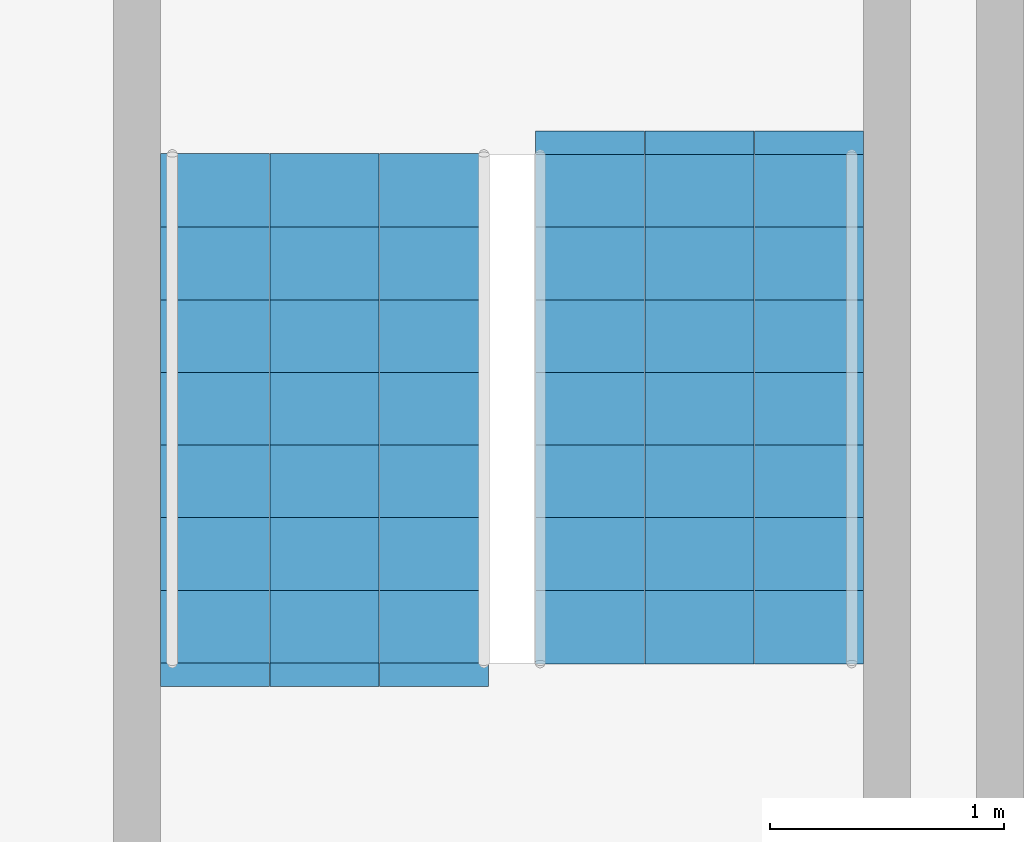
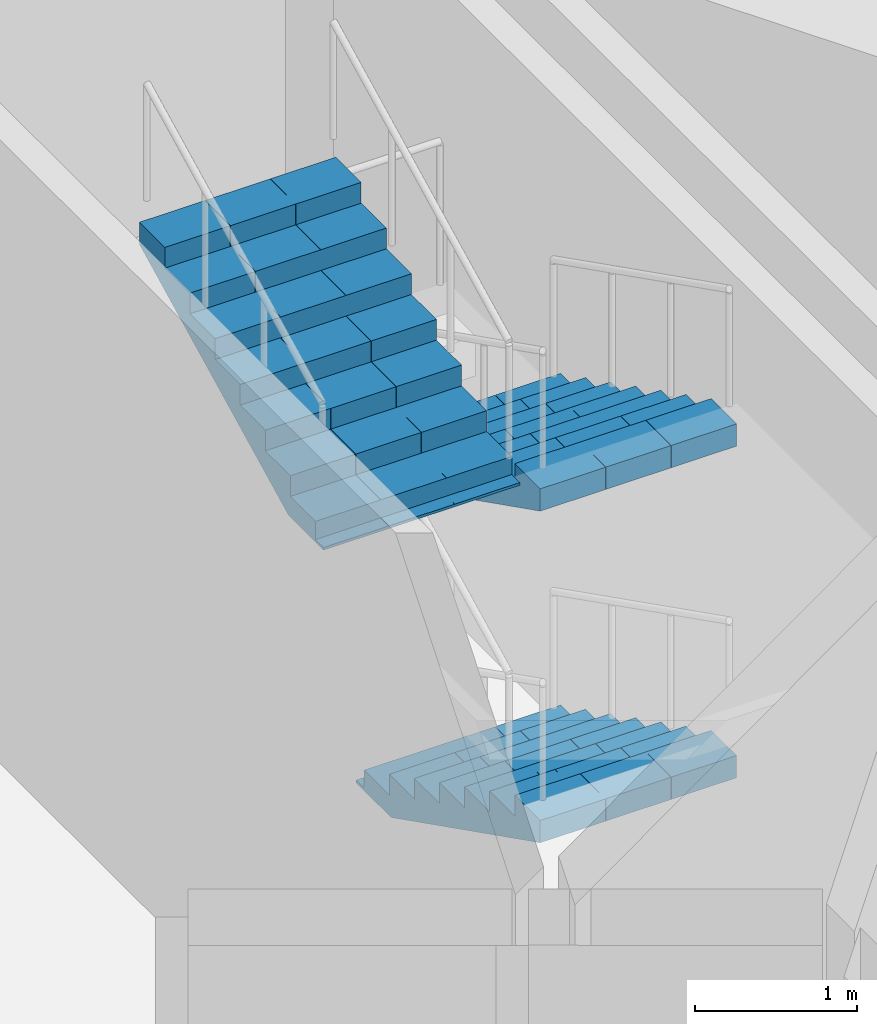
# One storey, part 26 of 28: 3 stair flights, 1 element without a shape of its own.
"""IFC4 building model written with IfcOpenShell, lengths in metres."""

from ifc_helpers import new_model, si_unit, direction, frame, origin, place, context, subcontext, project, spatial, polyline, outline, extrude, material, type_object, element, aggregate, save


model = new_model("IFC4")

# Units and contexts
model_context = context("Model", 3, precision=1e-05, world=origin(), true_north=direction((0.0, 1.0)))
body_context = subcontext(model_context, "Body", "Model", "MODEL_VIEW")
ifc_project = project(units=[si_unit("LENGTHUNIT", "METRE"), si_unit("AREAUNIT", "SQUARE_METRE"), si_unit("VOLUMEUNIT", "CUBIC_METRE"), si_unit("PLANEANGLEUNIT", "RADIAN"), si_unit("MASSUNIT", "GRAM", prefix="KILO")], contexts=[model_context])

# Site, building, storey
site_placement = place(None, origin())
site = spatial("IfcSite", under=ifc_project, at=site_placement, CompositionType="ELEMENT")
building_placement = place(site_placement, origin())
building = spatial("IfcBuilding", under=site, at=building_placement, Name="Triada Interchange Tower", CompositionType="ELEMENT")
storey_placement = place(building_placement, frame((0.0, 0.0, 30.300048828125)))
storey = spatial("IfcBuildingStorey", under=building, at=storey_placement, Name="L05", CompositionType="ELEMENT", Elevation=30.300048828125)

# Stair, stair flights
ifc_material = material(Name="Concrete C35/45", Category="concrete")
stair_type = type_object("IfcStairType", Name="HALF TURN STAIR 1400", PredefinedType="HALF_TURN_STAIR", material=ifc_material)
stair_placement = place(storey_placement, origin())
stair = element("IfcStair", 1, at=stair_placement, inside=storey, type_object=stair_type, Name="Exit stair S05-1", PredefinedType="HALF_TURN_STAIR")
stair_flight_type = type_object("IfcStairFlightType", Name="STRAIGHT STAIR FLIGHT 1400", PredefinedType="STRAIGHT", material=ifc_material)
stair_flight_1_placement = place(storey_placement, frame((0.800048828125, 11.60009765625, 0.0), z_axis=(0.0, 0.0, 1.0), x_axis=(0.0, -1.0, 0.0)))
stair_flight_1 = element("IfcStairFlight", 2, at=stair_flight_1_placement, type_object=stair_flight_type, Name="S05-1 flight 1", NumberOfRisers=8, NumberOfTreads=7, PredefinedType="STRAIGHT", RiserHeight=0.15625, TreadLength=0.31, context=body_context, shape_type="SweptSolid", body=[
    extrude(outline(polyline([(-0.10009765625, 0.0), (-0.10009765625, 0.02001953125), (0.0, 0.02001953125), (0.0, 0.15625), (0.31005859375, 0.15625), (0.31005859375, 0.3125), (0.6201171875, 0.3125), (0.6201171875, 0.46875), (0.929931640625, 0.46875), (0.929931640625, 0.625), (1.239990234375, 0.625), (1.239990234375, 0.78125), (1.550048828125, 0.78125), (1.550048828125, 0.9375), (1.860107421875, 0.9375), (1.860107421875, 1.09375), (2.169921875, 1.09375), (2.174072265625, 1.09375), (2.174072265625, 1.25), (2.174072265625, 0.92578125), (0.3330078125, 0.0), (-0.10009765625, 0.0)])), frame((0.0, 0.699951171875, 0.0), z_axis=(0.0, -1.0, 0.0), x_axis=(1.0, 0.0, 0.0)), (0.0, 0.0, 1.0), 0.46533203125),
    extrude(outline(polyline([(-0.10009765625, 0.0), (-0.10009765625, 0.02001953125), (0.0, 0.02001953125), (0.0, 0.15625), (0.31005859375, 0.15625), (0.31005859375, 0.3125), (0.6201171875, 0.3125), (0.6201171875, 0.46875), (0.929931640625, 0.46875), (0.929931640625, 0.625), (1.239990234375, 0.625), (1.239990234375, 0.78125), (1.550048828125, 0.78125), (1.550048828125, 0.9375), (1.860107421875, 0.9375), (1.860107421875, 1.09375), (2.169921875, 1.09375), (2.174072265625, 1.09375), (2.174072265625, 1.25), (2.174072265625, 0.92578125), (0.3330078125, 0.0), (-0.10009765625, 0.0)])), frame((0.0, 0.232666015625, 0.0), z_axis=(0.0, -1.0, 0.0), x_axis=(1.0, 0.0, 0.0)), (0.0, 0.0, 1.0), 0.46533203125),
    extrude(outline(polyline([(-0.10009765625, 0.0), (-0.10009765625, 0.02001953125), (0.0, 0.02001953125), (0.0, 0.15625), (0.31005859375, 0.15625), (0.31005859375, 0.3125), (0.6201171875, 0.3125), (0.6201171875, 0.46875), (0.929931640625, 0.46875), (0.929931640625, 0.625), (1.239990234375, 0.625), (1.239990234375, 0.78125), (1.550048828125, 0.78125), (1.550048828125, 0.9375), (1.860107421875, 0.9375), (1.860107421875, 1.09375), (2.169921875, 1.09375), (2.174072265625, 1.09375), (2.174072265625, 1.25), (2.174072265625, 0.92578125), (0.3330078125, 0.0), (-0.10009765625, 0.0)])), frame((0.0, -0.234619140625, 0.0), z_axis=(0.0, -1.0, 0.0), x_axis=(1.0, 0.0, 0.0)), (0.0, 0.0, 1.0), 0.46533203125),
])
stair_flight_2_placement = place(storey_placement, frame((0.800048828125, 11.60009765625, 2.5), z_axis=(0.0, 0.0, 1.0), x_axis=(0.0, -1.0, 0.0)))
stair_flight_2 = element("IfcStairFlight", 3, at=stair_flight_2_placement, type_object=stair_flight_type, Name="S05-1 flight 3", NumberOfRisers=8, NumberOfTreads=7, PredefinedType="STRAIGHT", RiserHeight=0.15625, TreadLength=0.31, context=body_context, shape_type="SweptSolid", body=[
    extrude(outline(polyline([(-0.10009765625, 0.0), (-0.10009765625, 0.02001953125), (0.0, 0.02001953125), (0.0, 0.15625), (0.31005859375, 0.15625), (0.31005859375, 0.3125), (0.6201171875, 0.3125), (0.6201171875, 0.46875), (0.929931640625, 0.46875), (0.929931640625, 0.625), (1.239990234375, 0.625), (1.239990234375, 0.78125), (1.550048828125, 0.78125), (1.550048828125, 0.9375), (1.860107421875, 0.9375), (1.860107421875, 1.09375), (2.169921875, 1.09375), (2.174072265625, 1.09375), (2.174072265625, 1.25), (2.174072265625, 0.92578125), (0.3330078125, 0.0), (-0.10009765625, 0.0)])), frame((0.0, 0.699951171875, 0.0), z_axis=(0.0, -1.0, 0.0), x_axis=(1.0, 0.0, 0.0)), (0.0, 0.0, 1.0), 0.46533203125),
    extrude(outline(polyline([(-0.10009765625, 0.0), (-0.10009765625, 0.02001953125), (0.0, 0.02001953125), (0.0, 0.15625), (0.31005859375, 0.15625), (0.31005859375, 0.3125), (0.6201171875, 0.3125), (0.6201171875, 0.46875), (0.929931640625, 0.46875), (0.929931640625, 0.625), (1.239990234375, 0.625), (1.239990234375, 0.78125), (1.550048828125, 0.78125), (1.550048828125, 0.9375), (1.860107421875, 0.9375), (1.860107421875, 1.09375), (2.169921875, 1.09375), (2.174072265625, 1.09375), (2.174072265625, 1.25), (2.174072265625, 0.92578125), (0.3330078125, 0.0), (-0.10009765625, 0.0)])), frame((0.0, 0.232666015625, 0.0), z_axis=(0.0, -1.0, 0.0), x_axis=(1.0, 0.0, 0.0)), (0.0, 0.0, 1.0), 0.46533203125),
    extrude(outline(polyline([(-0.10009765625, 0.0), (-0.10009765625, 0.02001953125), (0.0, 0.02001953125), (0.0, 0.15625), (0.31005859375, 0.15625), (0.31005859375, 0.3125), (0.6201171875, 0.3125), (0.6201171875, 0.46875), (0.929931640625, 0.46875), (0.929931640625, 0.625), (1.239990234375, 0.625), (1.239990234375, 0.78125), (1.550048828125, 0.78125), (1.550048828125, 0.9375), (1.860107421875, 0.9375), (1.860107421875, 1.09375), (2.169921875, 1.09375), (2.174072265625, 1.09375), (2.174072265625, 1.25), (2.174072265625, 0.92578125), (0.3330078125, 0.0), (-0.10009765625, 0.0)])), frame((0.0, -0.234619140625, 0.0), z_axis=(0.0, -1.0, 0.0), x_axis=(1.0, 0.0, 0.0)), (0.0, 0.0, 1.0), 0.46533203125),
])
stair_flight_3_placement = place(storey_placement, frame((-0.800048828125, 9.429931640625, 3.75), z_axis=(0.0, 0.0, 1.0), x_axis=(0.0, 1.0, 0.0)))
stair_flight_3 = element("IfcStairFlight", 4, at=stair_flight_3_placement, type_object=stair_flight_type, Name="S05-1 flight 4", NumberOfRisers=8, NumberOfTreads=7, PredefinedType="STRAIGHT", RiserHeight=0.15625, TreadLength=0.31, context=body_context, shape_type="SweptSolid", body=[
    extrude(outline(polyline([(-0.10009765625, 0.0), (-0.10009765625, 0.02001953125), (0.0, 0.02001953125), (0.0, 0.15625), (0.31005859375, 0.15625), (0.31005859375, 0.3125), (0.6201171875, 0.3125), (0.6201171875, 0.46875), (0.929931640625, 0.46875), (0.929931640625, 0.625), (1.239990234375, 0.625), (1.239990234375, 0.78125), (1.550048828125, 0.78125), (1.550048828125, 0.9375), (1.860107421875, 0.9375), (1.860107421875, 1.09375), (2.169921875, 1.09375), (2.174072265625, 1.09375), (2.174072265625, 1.25), (2.174072265625, 0.92578125), (0.3330078125, 0.0), (-0.10009765625, 0.0)])), frame((0.0, 0.699951171875, 0.0), z_axis=(0.0, -1.0, 0.0), x_axis=(1.0, 0.0, 0.0)), (0.0, 0.0, 1.0), 0.46533203125),
    extrude(outline(polyline([(-0.10009765625, 0.0), (-0.10009765625, 0.02001953125), (0.0, 0.02001953125), (0.0, 0.15625), (0.31005859375, 0.15625), (0.31005859375, 0.3125), (0.6201171875, 0.3125), (0.6201171875, 0.46875), (0.929931640625, 0.46875), (0.929931640625, 0.625), (1.239990234375, 0.625), (1.239990234375, 0.78125), (1.550048828125, 0.78125), (1.550048828125, 0.9375), (1.860107421875, 0.9375), (1.860107421875, 1.09375), (2.169921875, 1.09375), (2.174072265625, 1.09375), (2.174072265625, 1.25), (2.174072265625, 0.92578125), (0.3330078125, 0.0), (-0.10009765625, 0.0)])), frame((0.0, 0.232666015625, 0.0), z_axis=(0.0, -1.0, 0.0), x_axis=(1.0, 0.0, 0.0)), (0.0, 0.0, 1.0), 0.46533203125),
    extrude(outline(polyline([(-0.10009765625, 0.0), (-0.10009765625, 0.02001953125), (0.0, 0.02001953125), (0.0, 0.15625), (0.31005859375, 0.15625), (0.31005859375, 0.3125), (0.6201171875, 0.3125), (0.6201171875, 0.46875), (0.929931640625, 0.46875), (0.929931640625, 0.625), (1.239990234375, 0.625), (1.239990234375, 0.78125), (1.550048828125, 0.78125), (1.550048828125, 0.9375), (1.860107421875, 0.9375), (1.860107421875, 1.09375), (2.169921875, 1.09375), (2.174072265625, 1.09375), (2.174072265625, 1.25), (2.174072265625, 0.92578125), (0.3330078125, 0.0), (-0.10009765625, 0.0)])), frame((0.0, -0.234619140625, 0.0), z_axis=(0.0, -1.0, 0.0), x_axis=(1.0, 0.0, 0.0)), (0.0, 0.0, 1.0), 0.46533203125),
])
aggregate(stair, [stair_flight_1, stair_flight_2, stair_flight_3])

save(model, "model.ifc")
